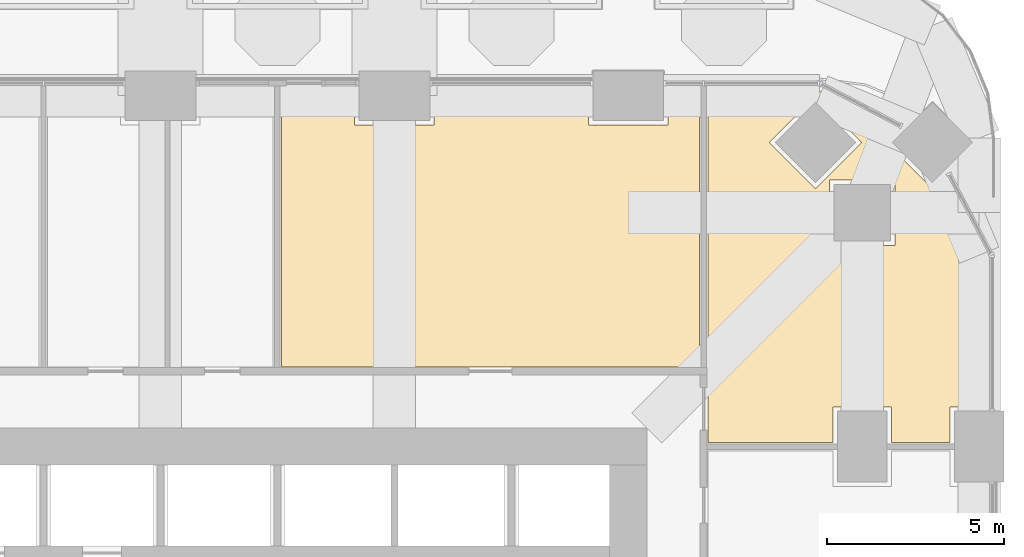
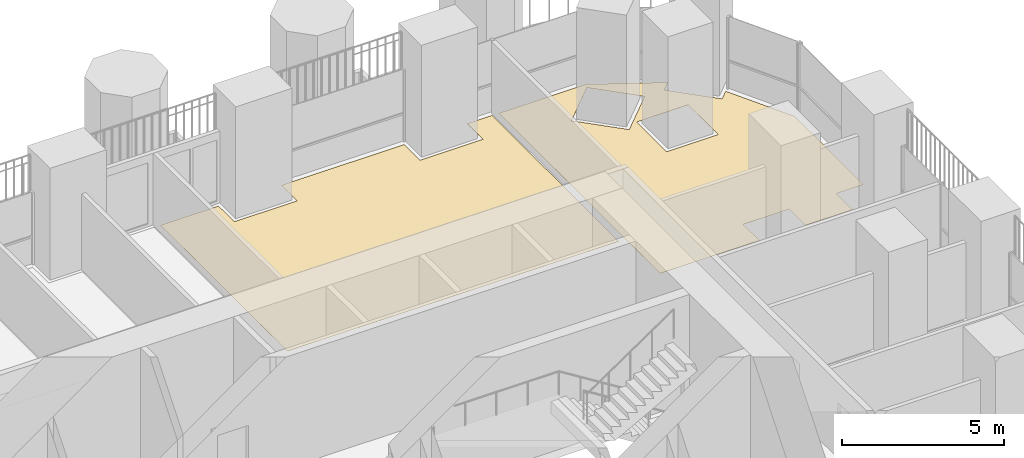
# One storey, part 21 of 22: 2 coverings.
"""IFC4 building model written with IfcOpenShell, lengths in metres."""

from ifc_helpers import new_model, si_unit, direction, frame, origin, place, context, subcontext, project, spatial, polyline, outline, extrude, material, layer, layer_set, type_object, element, save


model = new_model("IFC4")

# Units and contexts
model_context = context("Model", 3, precision=1e-05, world=origin(), true_north=direction((0.0, 1.0)))
body_context = subcontext(model_context, "Body", "Model", "MODEL_VIEW")
ifc_project = project(units=[si_unit("LENGTHUNIT", "METRE"), si_unit("AREAUNIT", "SQUARE_METRE"), si_unit("VOLUMEUNIT", "CUBIC_METRE"), si_unit("PLANEANGLEUNIT", "RADIAN"), si_unit("MASSUNIT", "GRAM", prefix="KILO")], contexts=[model_context])

# Site, building, storey
site_placement = place(None, origin())
site = spatial("IfcSite", under=ifc_project, at=site_placement, CompositionType="ELEMENT")
building_placement = place(site_placement, origin())
building = spatial("IfcBuilding", under=site, at=building_placement, Name="Cobogo Forest Laboratory Tower", CompositionType="ELEMENT")
storey_placement = place(building_placement, frame((0.0, 0.0, 155.699951171875)))
storey = spatial("IfcBuildingStorey", under=building, at=storey_placement, Name="L35", CompositionType="ELEMENT", Elevation=155.699951171875)

# Coverings
ifc_material = material(Name="Static-dissipative vinyl flooring", Category="flooring")
ifc_layer = layer(ifc_material, 0.0029296875)
ifc_layer_set = layer_set([ifc_layer], Name="SD1 static-dissipative vinyl floor 3")
covering_type = type_object("IfcCoveringType", Name="SD1 static-dissipative vinyl floor 3", PredefinedType="FLOORING", material=ifc_layer_set)
covering_1_placement = place(storey_placement, origin())
element("IfcCovering", 1, at=covering_1_placement, inside=storey, type_object=covering_type, Name="Static-dissipative floor L35-08", PredefinedType="FLOORING", context=body_context, shape_type="SweptSolid", body=[
    extrude(outline(polyline([(41.844970703125, 43.050048828125), (44.95068359375, 43.050048828125), (47.18017578125, 41.88134765625), (46.880859375, 41.58203125), (48.181884765625, 40.281005859375), (48.481201171875, 40.580322265625), (49.64990234375, 38.350830078125), (49.64990234375, 34.1201171875), (48.679931640625, 34.1201171875), (48.679931640625, 33.1201171875), (47.02001953125, 33.1201171875), (47.02001953125, 34.1201171875), (45.3798828125, 34.1201171875), (45.3798828125, 33.1201171875), (41.844970703125, 33.1201171875), (41.844970703125, 43.050048828125)]), holes=[polyline([(45.280029296875, 40.52001953125), (45.280029296875, 38.679931640625), (47.1201171875, 38.679931640625), (47.1201171875, 40.52001953125), (45.280029296875, 40.52001953125)]), polyline([(44.882080078125, 40.281005859375), (46.18310546875, 41.58203125), (44.882080078125, 42.883056640625), (43.580810546875, 41.58203125), (44.882080078125, 40.281005859375)])]), origin(), (0.0, 0.0, 1.0), 0.0029296875),
])
covering_2_placement = place(storey_placement, origin())
element("IfcCovering", 2, at=covering_2_placement, inside=storey, type_object=covering_type, Name="Static-dissipative floor L35-14", PredefinedType="FLOORING", context=body_context, shape_type="SweptSolid", body=[
    extrude(outline(polyline([(29.820068359375, 35.2451171875), (29.820068359375, 43.050048828125), (31.8798828125, 43.050048828125), (31.8798828125, 42.080078125), (34.1201171875, 42.080078125), (34.1201171875, 43.050048828125), (38.47998046875, 43.050048828125), (38.47998046875, 42.080078125), (40.719970703125, 42.080078125), (40.719970703125, 43.050048828125), (41.60498046875, 43.050048828125), (41.60498046875, 35.2451171875), (29.820068359375, 35.2451171875)])), origin(), (0.0, 0.0, 1.0), 0.0029296875),
])

save(model, "model.ifc")
